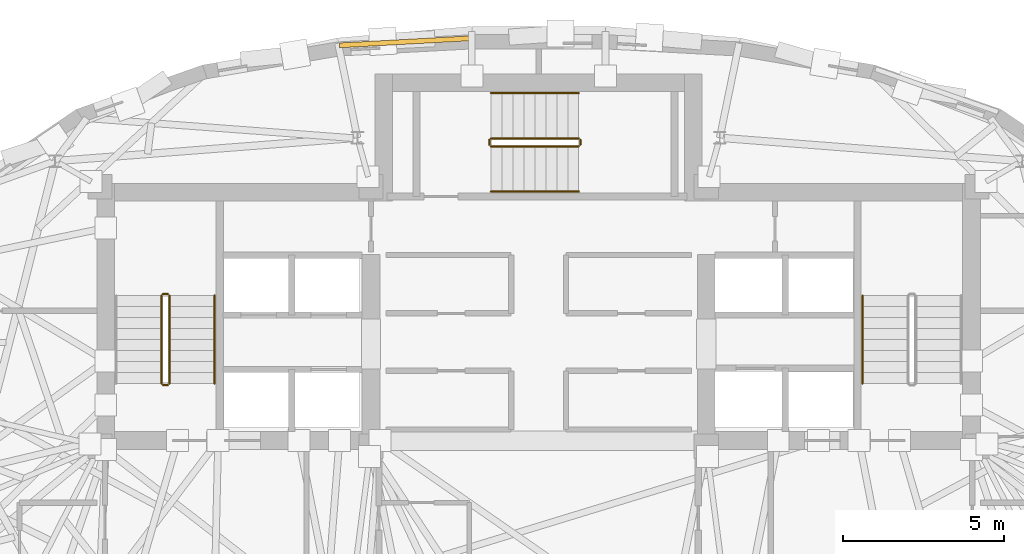
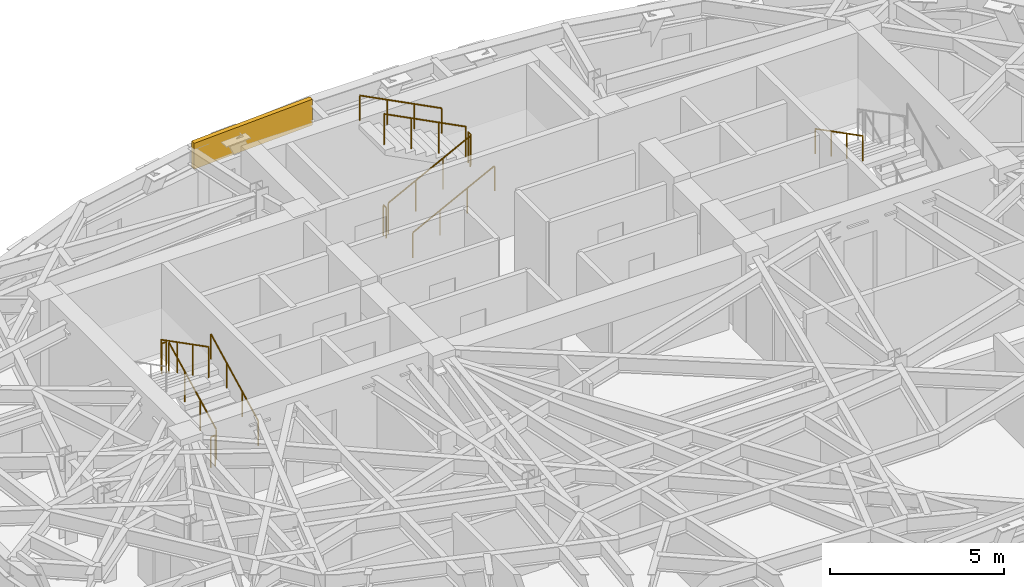
# One storey, part 11 of 12: 12 railings, 1 covering.
"""IFC4 building model written with IfcOpenShell, lengths in metres."""

from ifc_helpers import new_model, si_unit, direction, frame, origin, origin_2d, place, context, subcontext, project, spatial, rectangle, circle, extrude, material, layer, layer_set, type_object, element, save


model = new_model("IFC4")

# Units and contexts
model_context = context("Model", 3, precision=1e-05, world=origin(), true_north=direction((0.0, 1.0)))
body_context = subcontext(model_context, "Body", "Model", "MODEL_VIEW")
ifc_project = project(units=[si_unit("LENGTHUNIT", "METRE"), si_unit("AREAUNIT", "SQUARE_METRE"), si_unit("VOLUMEUNIT", "CUBIC_METRE"), si_unit("PLANEANGLEUNIT", "RADIAN"), si_unit("MASSUNIT", "GRAM", prefix="KILO")], contexts=[model_context])

# Site, building, storey
site_placement = place(None, origin())
site = spatial("IfcSite", under=ifc_project, at=site_placement, CompositionType="ELEMENT")
building_placement = place(site_placement, origin())
building = spatial("IfcBuilding", under=site, at=building_placement, Name="Keldmark Tower", CompositionType="ELEMENT")
storey_placement = place(building_placement, frame((0.0, 0.0, 257.25)))
storey = spatial("IfcBuildingStorey", under=building, at=storey_placement, Name="L73", CompositionType="ELEMENT", Elevation=257.25)

# Covering
ifc_material_1 = material(Name="Honed Kasota Buff Dolomitic Limestone", Category="masonry")
ifc_layer = layer(ifc_material_1, 0.074951171875)
ifc_layer_set = layer_set([ifc_layer], Name="Honed Kasota Buff Dolomitic Limestone")
covering_type = type_object("IfcCoveringType", Name="Kasota Buff Limestone Spandrel Cladding Band", PredefinedType="CLADDING", material=ifc_layer_set)
covering_placement = place(storey_placement, frame((-4.141357421875, 13.942138671875, 2.22021484375), z_axis=(0.0, 0.0, 1.0), x_axis=(-0.998556424176, -0.053712826556, 0.0)))
element("IfcCovering", 1, at=covering_placement, inside=storey, type_object=covering_type, Name="L73 Kasota Limestone Spandrel Band 09", PredefinedType="CLADDING", context=body_context, shape_type="SweptSolid", body=[
    extrude(rectangle(XDim=4.065185546875, YDim=0.14990234375, at=origin_2d()), origin(), (0.0, 0.0, 1.0), 0.909912109375),
])

# Railings
ifc_material_2 = material(Name="Painted Steel ASTM A500 Grade B", Category="steel")
railing_type_1 = type_object("IfcRailingType", Name="Painted Steel Stair Well Guard 1100 mm", PredefinedType="GUARDRAIL", material=ifc_material_2)
railing_1_placement = place(storey_placement, frame((-11.449951171875, 3.35009765625, 0.175048828125)))
element("IfcRailing", 2, at=railing_1_placement, inside=storey, type_object=railing_type_1, Name="L73 ST1 stair guard 1", PredefinedType="GUARDRAIL", context=body_context, shape_type="SweptSolid", body=[
    extrude(circle(Radius=0.02392578125, at=origin_2d()), frame((0.0, 0.0, 1.076171875), z_axis=(0.0, 0.889146794209, 0.457622091194), x_axis=(-1.0, 0.0, 0.0)), (0.0, 0.0, 1.0), 3.05908203125),
    extrude(circle(Radius=0.02099609375, at=origin_2d()), origin(), (0.0, 0.0, 1.0), 1.052001953125),
    extrude(circle(Radius=0.02099609375, at=origin_2d()), frame((0.0, 0.90673828125, 0.466552734375)), (0.0, 0.0, 1.0), 1.052001953125),
    extrude(circle(Radius=0.02099609375, at=origin_2d()), frame((0.0, 1.813232421875, 0.933349609375)), (0.0, 0.0, 1.0), 1.052001953125),
    extrude(circle(Radius=0.02099609375, at=origin_2d()), frame((0.0, 2.719970703125, 1.39990234375)), (0.0, 0.0, 1.0), 1.052001953125),
])
railing_2_placement = place(storey_placement, frame((-11.5, 6.1201171875, 1.574951171875)))
element("IfcRailing", 3, at=railing_2_placement, inside=storey, type_object=railing_type_1, Name="L73 ST1 stair guard 2", PredefinedType="GUARDRAIL", context=body_context, shape_type="SweptSolid", body=[
    extrude(circle(Radius=0.02392578125, at=origin_2d()), frame((0.0, 0.0, 1.076171875), z_axis=(-1.0, 0.0, 0.0), x_axis=(0.0, -1.0, 0.0)), (0.0, 0.0, 1.0), 0.14990234375),
    extrude(circle(Radius=0.02099609375, at=origin_2d()), origin(), (0.0, 0.0, 1.0), 1.052001953125),
    extrude(circle(Radius=0.02099609375, at=origin_2d()), frame((-0.14990234375, 0.0, 0.0)), (0.0, 0.0, 1.0), 1.052001953125),
])
railing_3_placement = place(storey_placement, frame((-11.699951171875, 6.070068359375, 1.75)))
element("IfcRailing", 4, at=railing_3_placement, inside=storey, type_object=railing_type_1, Name="L73 ST1 stair guard 3", PredefinedType="GUARDRAIL", context=body_context, shape_type="SweptSolid", body=[
    extrude(circle(Radius=0.02392578125, at=origin_2d()), frame((0.0, 0.0, 1.076171875), z_axis=(0.0, -0.889146794209, 0.457622091194), x_axis=(1.0, 0.0, 0.0)), (0.0, 0.0, 1.0), 3.05908203125),
    extrude(circle(Radius=0.02099609375, at=origin_2d()), origin(), (0.0, 0.0, 1.0), 1.052001953125),
    extrude(circle(Radius=0.02099609375, at=origin_2d()), frame((0.0, -0.90673828125, 0.466552734375)), (0.0, 0.0, 1.0), 1.052001953125),
    extrude(circle(Radius=0.02099609375, at=origin_2d()), frame((0.0, -1.813232421875, 0.933349609375)), (0.0, 0.0, 1.0), 1.052001953125),
    extrude(circle(Radius=0.02099609375, at=origin_2d()), frame((0.0, -2.719970703125, 1.39990234375)), (0.0, 0.0, 1.0), 1.052001953125),
])
railing_4_placement = place(storey_placement, frame((-11.5, 3.300048828125, 0.0)))
element("IfcRailing", 5, at=railing_4_placement, inside=storey, type_object=railing_type_1, Name="L73 ST1 stair guard 4", PredefinedType="GUARDRAIL", context=body_context, shape_type="SweptSolid", body=[
    extrude(circle(Radius=0.02392578125, at=origin_2d()), frame((0.0, 0.0, 1.076171875), z_axis=(-1.0, 0.0, 0.0), x_axis=(0.0, -1.0, 0.0)), (0.0, 0.0, 1.0), 0.14990234375),
    extrude(circle(Radius=0.02099609375, at=origin_2d()), origin(), (0.0, 0.0, 1.0), 1.052001953125),
    extrude(circle(Radius=0.02099609375, at=origin_2d()), frame((-0.14990234375, 0.0, 0.0)), (0.0, 0.0, 1.0), 1.052001953125),
])
railing_5_placement = place(storey_placement, frame((-1.47509765625, 10.699951171875, 0.175048828125)))
element("IfcRailing", 6, at=railing_5_placement, inside=storey, type_object=railing_type_1, Name="L73 ST3 stair guard 1", PredefinedType="GUARDRAIL", context=body_context, shape_type="SweptSolid", body=[
    extrude(circle(Radius=0.02392578125, at=origin_2d()), frame((0.0, 0.0, 1.076171875), z_axis=(0.88916350577, 0.0, 0.457589619645), x_axis=(0.0, 1.0, 0.0)), (0.0, 0.0, 1.0), 3.059326171875),
    extrude(circle(Radius=0.02099609375, at=origin_2d()), origin(), (0.0, 0.0, 1.0), 1.052001953125),
    extrude(circle(Radius=0.02099609375, at=origin_2d()), frame((0.90673828125, 0.0, 0.466552734375)), (0.0, 0.0, 1.0), 1.052001953125),
    extrude(circle(Radius=0.02099609375, at=origin_2d()), frame((1.8134765625, 0.0, 0.933349609375)), (0.0, 0.0, 1.0), 1.052001953125),
    extrude(circle(Radius=0.02099609375, at=origin_2d()), frame((2.72021484375, 0.0, 1.39990234375)), (0.0, 0.0, 1.0), 1.052001953125),
])
railing_6_placement = place(storey_placement, frame((1.294921875, 10.75, 1.574951171875)))
element("IfcRailing", 7, at=railing_6_placement, inside=storey, type_object=railing_type_1, Name="L73 ST3 stair guard 2", PredefinedType="GUARDRAIL", context=body_context, shape_type="SweptSolid", body=[
    extrude(circle(Radius=0.02392578125, at=origin_2d()), frame((0.0, 0.0, 1.076171875), z_axis=(0.0, 1.0, 0.0), x_axis=(-1.0, 0.0, 0.0)), (0.0, 0.0, 1.0), 0.14990234375),
    extrude(circle(Radius=0.02099609375, at=origin_2d()), origin(), (0.0, 0.0, 1.0), 1.052001953125),
    extrude(circle(Radius=0.02099609375, at=origin_2d()), frame((0.0, 0.14990234375, 0.0)), (0.0, 0.0, 1.0), 1.052001953125),
])
railing_7_placement = place(storey_placement, frame((1.2451171875, 10.949951171875, 1.75)))
element("IfcRailing", 8, at=railing_7_placement, inside=storey, type_object=railing_type_1, Name="L73 ST3 stair guard 3", PredefinedType="GUARDRAIL", context=body_context, shape_type="SweptSolid", body=[
    extrude(circle(Radius=0.02392578125, at=origin_2d()), frame((0.0, 0.0, 1.076171875), z_axis=(-0.88916350577, 0.0, 0.457589619645), x_axis=(0.0, -1.0, 0.0)), (0.0, 0.0, 1.0), 3.059326171875),
    extrude(circle(Radius=0.02099609375, at=origin_2d()), origin(), (0.0, 0.0, 1.0), 1.052001953125),
    extrude(circle(Radius=0.02099609375, at=origin_2d()), frame((-0.90673828125, 0.0, 0.466552734375)), (0.0, 0.0, 1.0), 1.052001953125),
    extrude(circle(Radius=0.02099609375, at=origin_2d()), frame((-1.8134765625, 0.0, 0.933349609375)), (0.0, 0.0, 1.0), 1.052001953125),
    extrude(circle(Radius=0.02099609375, at=origin_2d()), frame((-2.72021484375, 0.0, 1.39990234375)), (0.0, 0.0, 1.0), 1.052001953125),
])
railing_8_placement = place(storey_placement, frame((-1.52490234375, 10.75, 0.0)))
element("IfcRailing", 9, at=railing_8_placement, inside=storey, type_object=railing_type_1, Name="L73 ST3 stair guard 4", PredefinedType="GUARDRAIL", context=body_context, shape_type="SweptSolid", body=[
    extrude(circle(Radius=0.02392578125, at=origin_2d()), frame((0.0, 0.0, 1.076171875), z_axis=(0.0, 1.0, 0.0), x_axis=(-1.0, 0.0, 0.0)), (0.0, 0.0, 1.0), 0.14990234375),
    extrude(circle(Radius=0.02099609375, at=origin_2d()), origin(), (0.0, 0.0, 1.0), 1.052001953125),
    extrude(circle(Radius=0.02099609375, at=origin_2d()), frame((0.0, 0.14990234375, 0.0)), (0.0, 0.0, 1.0), 1.052001953125),
])
ifc_material_3 = material(Name="Stainless Steel AISI 316L", Category="steel")
railing_type_2 = type_object("IfcRailingType", Name="Stainless Steel Stair Handrail 900 mm", PredefinedType="HANDRAIL", material=ifc_material_3)
railing_9_placement = place(storey_placement, frame((-10.050048828125, 3.35009765625, 0.175048828125)))
element("IfcRailing", 10, at=railing_9_placement, inside=storey, type_object=railing_type_2, Name="L73 ST1 stair handrail 1", PredefinedType="HANDRAIL", context=body_context, shape_type="SweptSolid", body=[
    extrude(circle(Radius=0.02392578125, at=origin_2d()), frame((0.0, 0.0, 0.8759765625), z_axis=(0.0, 0.889146794209, 0.457622091194), x_axis=(-1.0, 0.0, 0.0)), (0.0, 0.0, 1.0), 3.05908203125),
    extrude(circle(Radius=0.02099609375, at=origin_2d()), origin(), (0.0, 0.0, 1.0), 0.851806640625),
    extrude(circle(Radius=0.02099609375, at=origin_2d()), frame((0.0, 0.90673828125, 0.466552734375)), (0.0, 0.0, 1.0), 0.851806640625),
    extrude(circle(Radius=0.02099609375, at=origin_2d()), frame((0.0, 1.813232421875, 0.933349609375)), (0.0, 0.0, 1.0), 0.851806640625),
    extrude(circle(Radius=0.02099609375, at=origin_2d()), frame((0.0, 2.719970703125, 1.39990234375)), (0.0, 0.0, 1.0), 0.851806640625),
])
railing_10_placement = place(storey_placement, frame((10.050048828125, 6.070068359375, 1.75)))
element("IfcRailing", 11, at=railing_10_placement, inside=storey, type_object=railing_type_2, Name="L73 ST2 stair handrail 2", PredefinedType="HANDRAIL", context=body_context, shape_type="SweptSolid", body=[
    extrude(circle(Radius=0.02392578125, at=origin_2d()), frame((0.0, 0.0, 0.8759765625), z_axis=(0.0, -0.889146794209, 0.457622091194), x_axis=(1.0, 0.0, 0.0)), (0.0, 0.0, 1.0), 3.05908203125),
    extrude(circle(Radius=0.02099609375, at=origin_2d()), origin(), (0.0, 0.0, 1.0), 0.851806640625),
    extrude(circle(Radius=0.02099609375, at=origin_2d()), frame((0.0, -0.90673828125, 0.466552734375)), (0.0, 0.0, 1.0), 0.851806640625),
    extrude(circle(Radius=0.02099609375, at=origin_2d()), frame((0.0, -1.813232421875, 0.933349609375)), (0.0, 0.0, 1.0), 0.851806640625),
    extrude(circle(Radius=0.02099609375, at=origin_2d()), frame((0.0, -2.719970703125, 1.39990234375)), (0.0, 0.0, 1.0), 0.851806640625),
])
railing_11_placement = place(storey_placement, frame((-1.47509765625, 9.300048828125, 0.175048828125)))
element("IfcRailing", 12, at=railing_11_placement, inside=storey, type_object=railing_type_2, Name="L73 ST3 stair handrail 1", PredefinedType="HANDRAIL", context=body_context, shape_type="SweptSolid", body=[
    extrude(circle(Radius=0.02392578125, at=origin_2d()), frame((0.0, 0.0, 0.8759765625), z_axis=(0.88916350577, 0.0, 0.457589619645), x_axis=(0.0, 1.0, 0.0)), (0.0, 0.0, 1.0), 3.059326171875),
    extrude(circle(Radius=0.02099609375, at=origin_2d()), origin(), (0.0, 0.0, 1.0), 0.851806640625),
    extrude(circle(Radius=0.02099609375, at=origin_2d()), frame((0.90673828125, 0.0, 0.466552734375)), (0.0, 0.0, 1.0), 0.851806640625),
    extrude(circle(Radius=0.02099609375, at=origin_2d()), frame((1.8134765625, 0.0, 0.933349609375)), (0.0, 0.0, 1.0), 0.851806640625),
    extrude(circle(Radius=0.02099609375, at=origin_2d()), frame((2.72021484375, 0.0, 1.39990234375)), (0.0, 0.0, 1.0), 0.851806640625),
])
railing_12_placement = place(storey_placement, frame((1.2451171875, 12.35009765625, 1.75)))
element("IfcRailing", 13, at=railing_12_placement, inside=storey, type_object=railing_type_2, Name="L73 ST3 stair handrail 2", PredefinedType="HANDRAIL", context=body_context, shape_type="SweptSolid", body=[
    extrude(circle(Radius=0.02392578125, at=origin_2d()), frame((0.0, 0.0, 0.8759765625), z_axis=(-0.88916350577, 0.0, 0.457589619645), x_axis=(0.0, -1.0, 0.0)), (0.0, 0.0, 1.0), 3.059326171875),
    extrude(circle(Radius=0.02099609375, at=origin_2d()), origin(), (0.0, 0.0, 1.0), 0.851806640625),
    extrude(circle(Radius=0.02099609375, at=origin_2d()), frame((-0.90673828125, 0.0, 0.466552734375)), (0.0, 0.0, 1.0), 0.851806640625),
    extrude(circle(Radius=0.02099609375, at=origin_2d()), frame((-1.8134765625, 0.0, 0.933349609375)), (0.0, 0.0, 1.0), 0.851806640625),
    extrude(circle(Radius=0.02099609375, at=origin_2d()), frame((-2.72021484375, 0.0, 1.39990234375)), (0.0, 0.0, 1.0), 0.851806640625),
])

save(model, "model.ifc")
